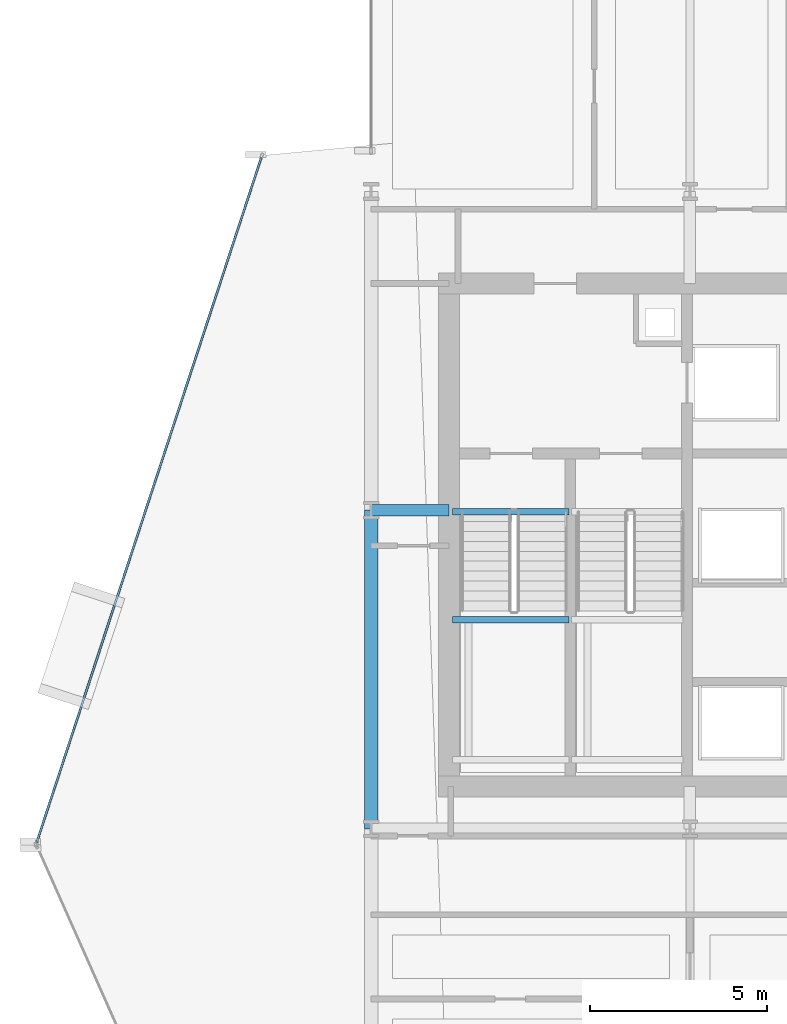
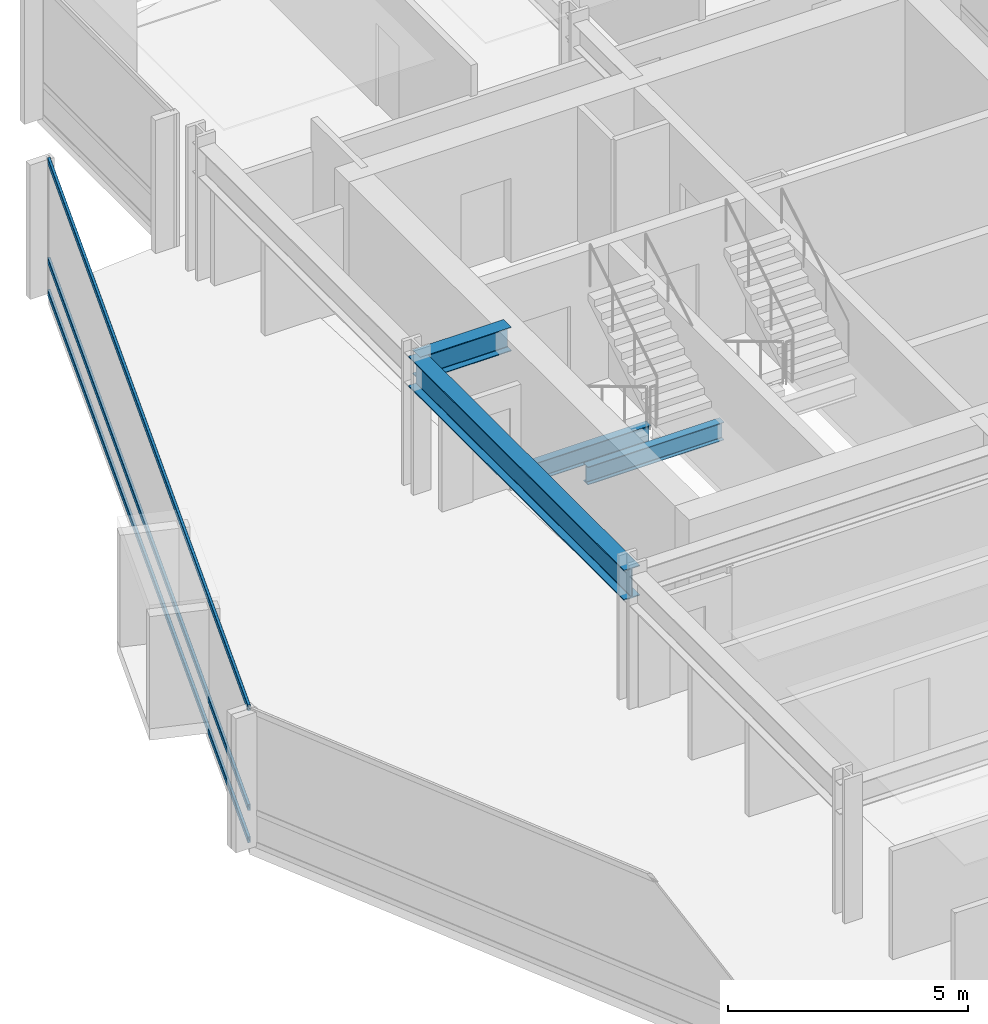
# One storey, part 18 of 34: 4 beams, 3 members, 1 element without a shape of its own.
"""IFC4 building model written with IfcOpenShell, lengths in metres."""

from ifc_helpers import new_model, si_unit, direction, frame, origin, origin_2d, place, context, subcontext, project, spatial, hollow_rectangle, i_section, extrude, material, layer, layer_set, material_profile, profile_set, type_object, element, aggregate, save


model = new_model("IFC4")

# Units and contexts
model_context = context("Model", 3, precision=1e-05, world=origin(), true_north=direction((0.0, 1.0)))
body_context = subcontext(model_context, "Body", "Model", "MODEL_VIEW")
ifc_project = project(units=[si_unit("LENGTHUNIT", "METRE"), si_unit("AREAUNIT", "SQUARE_METRE"), si_unit("VOLUMEUNIT", "CUBIC_METRE"), si_unit("PLANEANGLEUNIT", "RADIAN"), si_unit("MASSUNIT", "GRAM", prefix="KILO")], contexts=[model_context])

# Site, building, storey
site_placement = place(None, origin())
site = spatial("IfcSite", under=ifc_project, at=site_placement, CompositionType="ELEMENT")
building_placement = place(site_placement, origin())
building = spatial("IfcBuilding", under=site, at=building_placement, Name="Solvaryn Broadcast Tower", CompositionType="ELEMENT")
storey_placement = place(building_placement, frame((0.0, 0.0, 36.0)))
storey = spatial("IfcBuildingStorey", under=building, at=storey_placement, Name="L07", CompositionType="ELEMENT", Elevation=36.0)

# Beams
ifc_material_1 = material(Name="Steel ASTM A992 Grade 50", Category="steel")
ifc_material_profile_1 = material_profile(ifc_material_1, i_section(OverallWidth=0.323974609375, OverallDepth=0.611083984375, WebThickness=0.0126953125, FlangeThickness=0.01904296875, FilletRadius=0.014892578125, at=origin_2d()))
ifc_profile_set_1 = profile_set([ifc_material_profile_1], Name="Steel ASTM A992 Grade 50")
beam_type_1 = type_object("IfcBeamType", Name="BM-B1-W24X104", PredefinedType="BEAM", material=ifc_profile_set_1)
beam_1_placement = place(storey_placement, frame((9.0, 36.0, 3.114501953125), z_axis=(1.0, 0.0, 0.0), x_axis=(0.0, 1.0, 0.0)))
element("IfcBeam", 1, at=beam_1_placement, inside=storey, type_object=beam_type_1, Name="L07 Core Tie Beam CTW1", PredefinedType="BEAM", context=body_context, shape_type="SweptSolid", body=[
    extrude(i_section(OverallWidth=0.323974609375, OverallDepth=0.611083984375, WebThickness=0.0126953125, FlangeThickness=0.01904296875, FilletRadius=0.014892578125, at=origin_2d()), origin(), (0.0, 0.0, 1.0), 2.199951171875),
])
ifc_material_2 = material(Name="Steel ASTM A992 Grade 50", Category="steel")
ifc_material_profile_2 = material_profile(ifc_material_2, i_section(OverallWidth=0.18994140625, OverallDepth=0.45703125, WebThickness=0.009033203125, FlangeThickness=0.014404296875, FilletRadius=0.011962890625, at=origin_2d()))
ifc_profile_set_2 = profile_set([ifc_material_profile_2], Name="Steel ASTM A992 Grade 50")
beam_type_2 = type_object("IfcBeamType", Name="BM-B4-W18X50", PredefinedType="BEAM", material=ifc_profile_set_2)
for number, where, z_axis, x_axis, name in (
    (2, (11.300048828125, 35.9599609375, -0.508544921875), (1.0, 0.0, 0.0), (0.0, 1.0, 0.0), "L07 ST1 Stair Well Trimmer Beam"),
    (3, (11.300048828125, 32.909912109375, 1.42138671875), (1.0, 0.0, 0.0), (0.0, 1.0, 0.0), "L07 ST1 Landing Support Beam 1B"),
):
    element("IfcBeam", number, at=place(storey_placement, frame(where, z_axis=z_axis, x_axis=x_axis)), inside=storey, type_object=beam_type_2, Name=name, PredefinedType="BEAM", context=body_context, shape_type="SweptSolid", body=[
        extrude(i_section(OverallWidth=0.18994140625, OverallDepth=0.45703125, WebThickness=0.009033203125, FlangeThickness=0.014404296875, FilletRadius=0.011962890625, at=origin_2d()), origin(), (0.0, 0.0, 1.0), 3.280029296875),
    ])
ifc_material_3 = material(Name="Steel ASTM A992 Grade 50", Category="steel")
ifc_material_profile_3 = material_profile(ifc_material_3, i_section(OverallWidth=0.381103515625, OverallDepth=0.77294921875, WebThickness=0.0166015625, FlangeThickness=0.027099609375, FilletRadius=0.01806640625, at=origin_2d()))
ifc_profile_set_3 = profile_set([ifc_material_profile_3], Name="Steel ASTM A992 Grade 50")
beam_type_3 = type_object("IfcBeamType", Name="BM-SP1-W30X173", PredefinedType="USERDEFINED", material=ifc_profile_set_3)
beam_2_placement = place(storey_placement, frame((9.0, 27.0, 3.033447265625), z_axis=(0.0, 1.0, 0.0), x_axis=(-1.0, 0.0, 0.0)))
element("IfcBeam", 4, at=beam_2_placement, inside=storey, type_object=beam_type_3, Name="L07 Spandrel Beam Y (27-36 @ X=9)", ObjectType="SPANDREL", PredefinedType="USERDEFINED", context=body_context, shape_type="SweptSolid", body=[
    extrude(i_section(OverallWidth=0.381103515625, OverallDepth=0.77294921875, WebThickness=0.0166015625, FlangeThickness=0.027099609375, FilletRadius=0.01806640625, at=origin_2d()), origin(), (0.0, 0.0, 1.0), 9.0),
])

# Curtain wall, members
ifc_material_4 = material(Name="Aluminium and Terracotta Unitised Curtain Wall", Category="masonry")
ifc_layer = layer(ifc_material_4, 0.199951171875)
ifc_layer_set = layer_set([ifc_layer], Name="CW-SYS2-LOWMID")
curtain_wall_type = type_object("IfcCurtainWallType", Name="CW-SYS2-LOWMID", PredefinedType="NOTDEFINED", material=ifc_layer_set)
curtain_wall_placement = place(storey_placement, origin())
curtain_wall = element("IfcCurtainWall", 5, at=curtain_wall_placement, inside=storey, type_object=curtain_wall_type, Name="L07 Curtain Wall DR1", PredefinedType="NOTDEFINED")
ifc_material_5 = material(Name="Anodised Aluminium 6063-T6", Category="aluminium")
ifc_material_profile_4 = material_profile(ifc_material_5, hollow_rectangle(XDim=0.06494140625, YDim=0.14990234375, WallThickness=0.00390625, InnerFilletRadius=0.00390625, OuterFilletRadius=0.008056640625, at=origin_2d()))
ifc_profile_set_4 = profile_set([ifc_material_profile_4], Name="Anodised Aluminium 6063-T6")
member_type = type_object("IfcMemberType", Name="CW-TRN-150", PredefinedType="USERDEFINED", material=ifc_profile_set_4)
member_1_placement = place(storey_placement, frame((5.897216796875, 45.958984375, 0.030029296875), z_axis=(-0.311589549406, -0.950216792475, 0.0), x_axis=(0.950216792475, -0.311589549406, 0.0)))
member_1 = element("IfcMember", 6, at=member_1_placement, type_object=member_type, Name="CWS2 transom 1.1", ObjectType="TRANSOM", PredefinedType="USERDEFINED", context=body_context, shape_type="SweptSolid", body=[
    extrude(hollow_rectangle(XDim=0.06494140625, YDim=0.14990234375, WallThickness=0.00390625, InnerFilletRadius=0.00390625, OuterFilletRadius=0.008056640625, at=origin_2d()), origin(), (0.0, 0.0, 1.0), 20.35546875),
])
member_2_placement = place(storey_placement, frame((5.897216796875, 45.958984375, 0.85009765625), z_axis=(-0.311589549406, -0.950216792475, 0.0), x_axis=(0.950216792475, -0.311589549406, 0.0)))
member_2 = element("IfcMember", 7, at=member_2_placement, type_object=member_type, Name="CWS2 transom 1.2", ObjectType="TRANSOM", PredefinedType="USERDEFINED", context=body_context, shape_type="SweptSolid", body=[
    extrude(hollow_rectangle(XDim=0.06494140625, YDim=0.14990234375, WallThickness=0.00390625, InnerFilletRadius=0.00390625, OuterFilletRadius=0.008056640625, at=origin_2d()), origin(), (0.0, 0.0, 1.0), 20.35546875),
])
member_3_placement = place(storey_placement, frame((5.897216796875, 45.958984375, 3.389892578125), z_axis=(-0.311589549406, -0.950216792475, 0.0), x_axis=(0.950216792475, -0.311589549406, 0.0)))
member_3 = element("IfcMember", 8, at=member_3_placement, type_object=member_type, Name="CWS2 transom 1.3", ObjectType="TRANSOM", PredefinedType="USERDEFINED", context=body_context, shape_type="SweptSolid", body=[
    extrude(hollow_rectangle(XDim=0.06494140625, YDim=0.14990234375, WallThickness=0.00390625, InnerFilletRadius=0.00390625, OuterFilletRadius=0.008056640625, at=origin_2d()), origin(), (0.0, 0.0, 1.0), 20.35546875),
])
aggregate(curtain_wall, [member_1, member_2, member_3])

save(model, "model.ifc")
